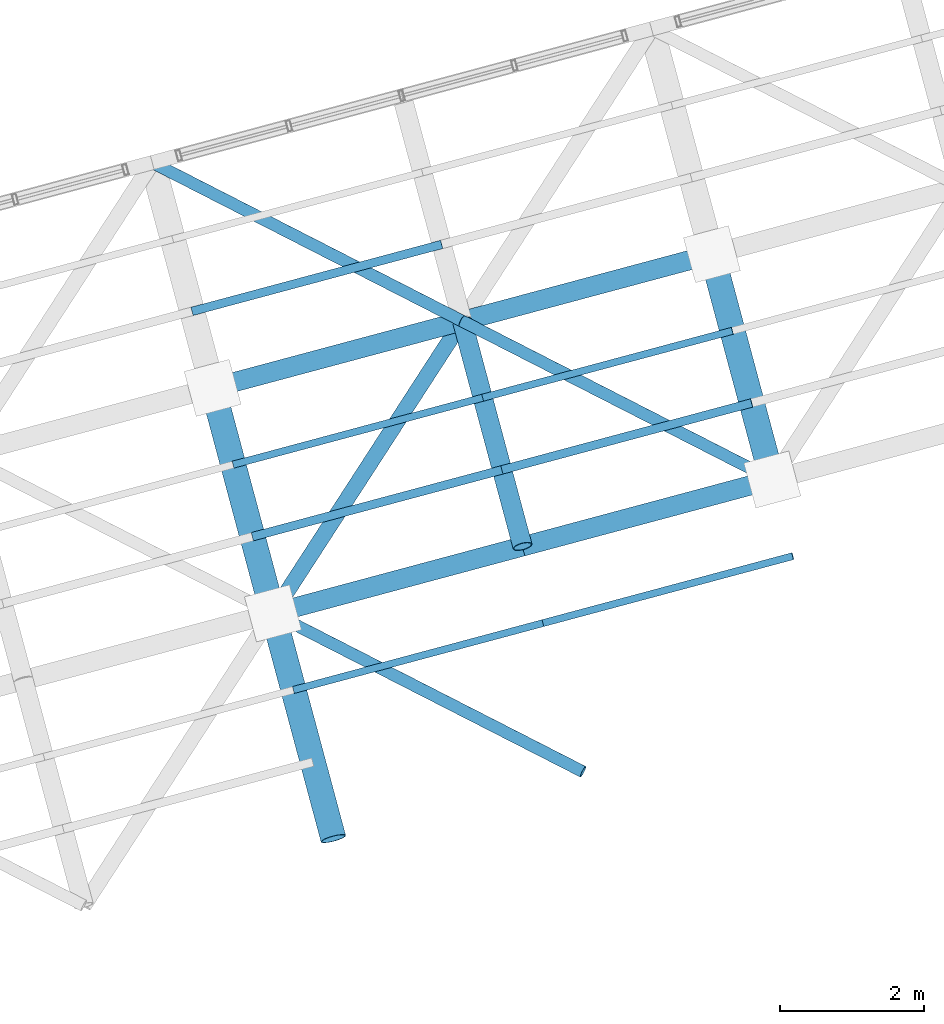
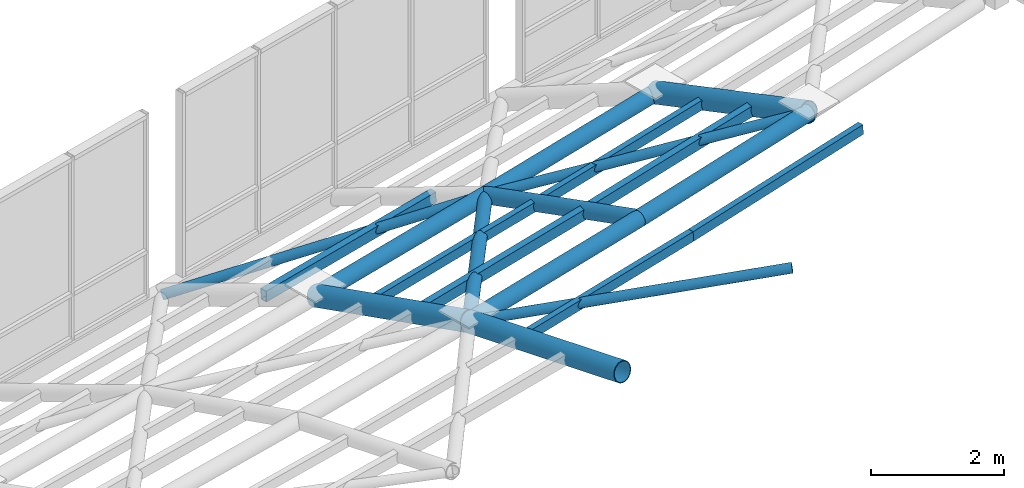
# One storey, part 18 of 29: 19 members.
"""IFC4 building model written with IfcOpenShell, lengths in metres."""

from ifc_helpers import new_model, si_unit, direction, frame, origin, origin_2d, place, context, subcontext, project, spatial, hollow_rectangle, hollow_circle, extrude, material, material_profile, profile_set, type_object, element, save


model = new_model("IFC4")

# Units and contexts
model_context = context("Model", 3, precision=1e-05, world=origin(), true_north=direction((0.0, 1.0)))
body_context = subcontext(model_context, "Body", "Model", "MODEL_VIEW")
ifc_project = project(units=[si_unit("LENGTHUNIT", "METRE"), si_unit("AREAUNIT", "SQUARE_METRE"), si_unit("VOLUMEUNIT", "CUBIC_METRE"), si_unit("PLANEANGLEUNIT", "RADIAN"), si_unit("MASSUNIT", "GRAM", prefix="KILO")], contexts=[model_context])

# Site, building, storey
site_placement = place(None, origin())
site = spatial("IfcSite", under=ifc_project, at=site_placement, CompositionType="ELEMENT")
building_placement = place(site_placement, origin())
building = spatial("IfcBuilding", under=site, at=building_placement, Name="Ventoquebrada Cableway Terminal", CompositionType="ELEMENT")
storey_placement = place(building_placement, frame((0.0, 0.0, 18.89990234375)))
storey = spatial("IfcBuildingStorey", under=building, at=storey_placement, Name="L04", CompositionType="ELEMENT", Elevation=18.89990234375)

# Members
ifc_material = material(Name="Steel ASTM A500 Grade C", Category="steel")
ifc_material_profile_1 = material_profile(ifc_material, hollow_circle(Radius=0.109619140625, WallThickness=0.010009765625, at=origin_2d()), Name="CHS219.1X10")
ifc_profile_set_1 = profile_set([ifc_material_profile_1], Name="Steel ASTM A500 Grade C")
member_type_1 = type_object("IfcMemberType", Name="BRC-GS01", PredefinedType="BRACE", material=ifc_profile_set_1)
member_1_placement = place(storey_placement, frame((67.794921875, 94.2099609375, 3.652099609375), z_axis=(0.530491126417, 0.819296057516, -0.217561795663), x_axis=(-0.839402648036, 0.543510068416, 0.0)))
element("IfcMember", 1, at=member_1_placement, inside=storey, type_object=member_type_1, Name="Saddle gridshell diagrid brace GBR-0355", PredefinedType="BRACE", context=body_context, shape_type="SweptSolid", body=[
    extrude(hollow_circle(Radius=0.109619140625, WallThickness=0.010009765625, at=origin_2d()), origin(), (0.0, 0.0, 1.0), 4.968994140625),
])
ifc_material_profile_2 = material_profile(ifc_material, hollow_circle(Radius=0.084228515625, WallThickness=0.008056640625, at=origin_2d()), Name="CHS168.3X8")
ifc_profile_set_2 = profile_set([ifc_material_profile_2], Name="Steel ASTM A500 Grade C")
member_type_2 = type_object("IfcMemberType", Name="BRC-GS02", PredefinedType="BRACE", material=ifc_profile_set_2)
member_2_placement = place(storey_placement, frame((67.794921875, 94.2099609375, 3.652099609375), z_axis=(0.878462169877, -0.448889153564, 0.163715435763), x_axis=(0.455028578566, 0.890476834448, 0.0)))
element("IfcMember", 2, at=member_2_placement, inside=storey, type_object=member_type_2, Name="Saddle gridshell diagrid brace GBR-0352", PredefinedType="BRACE", context=body_context, shape_type="SweptSolid", body=[
    extrude(hollow_circle(Radius=0.084228515625, WallThickness=0.008056640625, at=origin_2d()), origin(), (0.0, 0.0, 1.0), 4.916748046875),
])
member_3_placement = place(storey_placement, frame((66.113037109375, 100.489013671875, 0.920166015625), z_axis=(0.842847067078, -0.431002424214, 0.322251038538), x_axis=(0.455290222831, 0.890343087239, 0.0)))
element("IfcMember", 3, at=member_3_placement, inside=storey, type_object=member_type_2, Name="Saddle gridshell diagrid brace GBR-0358", PredefinedType="BRACE", context=body_context, shape_type="SweptSolid", body=[
    extrude(hollow_circle(Radius=0.084228515625, WallThickness=0.008056640625, at=origin_2d()), origin(), (0.0, 0.0, 1.0), 5.123046875),
])
member_4_placement = place(storey_placement, frame((70.430908203125, 98.281005859375, 2.571044921875), z_axis=(0.858274732371, -0.43857348825, 0.266491611832), x_axis=(0.455028578566, 0.890476834448, 0.0)))
element("IfcMember", 4, at=member_4_placement, inside=storey, type_object=member_type_2, Name="Saddle gridshell diagrid brace GBR-0379", PredefinedType="BRACE", context=body_context, shape_type="SweptSolid", body=[
    extrude(hollow_circle(Radius=0.084228515625, WallThickness=0.008056640625, at=origin_2d()), origin(), (0.0, 0.0, 1.0), 5.0322265625),
])
ifc_material_profile_3 = material_profile(ifc_material, hollow_circle(Radius=0.177734375, WallThickness=0.012451171875, at=origin_2d()), Name="CHS355.6X12.5")
ifc_profile_set_3 = profile_set([ifc_material_profile_3], Name="Steel ASTM A500 Grade C")
member_type_3 = type_object("IfcMemberType", Name="CHD-GS01", PredefinedType="CHORD", material=ifc_profile_set_3)
member_5_placement = place(storey_placement, frame((68.635986328125, 91.071044921875, 4.336181640625), z_axis=(-0.253266599061, 0.945210062157, -0.20599506838), x_axis=(-0.965926253902, -0.258817449225, 0.0)))
element("IfcMember", 5, at=member_5_placement, inside=storey, type_object=member_type_3, Name="Saddle gridshell arch chord GCH-0068", PredefinedType="CHORD", context=body_context, shape_type="SweptSolid", body=[
    extrude(hollow_circle(Radius=0.177734375, WallThickness=0.012451171875, at=origin_2d()), origin(), (0.0, 0.0, 1.0), 3.32080078125),
])
member_6_placement = place(storey_placement, frame((67.794921875, 94.2099609375, 3.652099609375), z_axis=(-0.244128197692, 0.911723832378, -0.330395333752), x_axis=(-0.965970169845, -0.258653495953, 0.0)))
element("IfcMember", 6, at=member_6_placement, inside=storey, type_object=member_type_3, Name="Saddle gridshell arch chord GCH-0069", PredefinedType="CHORD", context=body_context, shape_type="SweptSolid", body=[
    extrude(hollow_circle(Radius=0.177734375, WallThickness=0.012451171875, at=origin_2d()), origin(), (0.0, 0.0, 1.0), 3.444091796875),
])
member_7_placement = place(storey_placement, frame((74.75, 96.073974609375, 3.912109375), z_axis=(-0.241635634831, 0.901802425842, -0.35828006465), x_axis=(-0.965926253902, -0.258817449225, 0.0)))
element("IfcMember", 7, at=member_7_placement, inside=storey, type_object=member_type_3, Name="Saddle gridshell arch chord GCH-0085", PredefinedType="CHORD", context=body_context, shape_type="SweptSolid", body=[
    extrude(hollow_circle(Radius=0.177734375, WallThickness=0.012451171875, at=origin_2d()), origin(), (0.0, 0.0, 1.0), 3.480712890625),
])
ifc_material_profile_4 = material_profile(ifc_material, hollow_circle(Radius=0.136474609375, WallThickness=0.012451171875, at=origin_2d()), Name="CHS273.0X12.5")
ifc_profile_set_4 = profile_set([ifc_material_profile_4], Name="Steel ASTM A500 Grade C")
member_type_4 = type_object("IfcMemberType", Name="CHD-GS02", PredefinedType="CHORD", material=ifc_profile_set_4)
member_8_placement = place(storey_placement, frame((71.27197265625, 95.14208984375, 3.75), z_axis=(-0.243300598354, 0.908016195366, -0.341044583295), x_axis=(-0.965926253902, -0.258817449225, 0.0)))
element("IfcMember", 8, at=member_8_placement, inside=storey, type_object=member_type_4, Name="Saddle gridshell arch chord GCH-0077", PredefinedType="CHORD", context=body_context, shape_type="SweptSolid", body=[
    extrude(hollow_circle(Radius=0.136474609375, WallThickness=0.012451171875, at=origin_2d()), origin(), (0.0, 0.0, 1.0), 3.456787109375),
])
member_9_placement = place(storey_placement, frame((67.794921875, 94.2099609375, 3.652099609375), z_axis=(0.965537156817, 0.258841515569, 0.027185816591), x_axis=(-0.258937219442, 0.965894153822, 0.0)))
element("IfcMember", 9, at=member_9_placement, inside=storey, type_object=member_type_4, Name="Saddle gridshell longitudinal chord GLG-0169", PredefinedType="CHORD", context=body_context, shape_type="SweptSolid", body=[
    extrude(hollow_circle(Radius=0.136474609375, WallThickness=0.012451171875, at=origin_2d()), origin(), (0.0, 0.0, 1.0), 3.60107421875),
])
member_10_placement = place(storey_placement, frame((71.27197265625, 95.14208984375, 3.75), z_axis=(0.964951832699, 0.258544233147, 0.044975994448), x_axis=(-0.25880612736, 0.965929287495, 0.0)))
element("IfcMember", 10, at=member_10_placement, inside=storey, type_object=member_type_4, Name="Saddle gridshell longitudinal chord GLG-0170", PredefinedType="CHORD", context=body_context, shape_type="SweptSolid", body=[
    extrude(hollow_circle(Radius=0.136474609375, WallThickness=0.012451171875, at=origin_2d()), origin(), (0.0, 0.0, 1.0), 3.604248046875),
])
member_11_placement = place(storey_placement, frame((66.9541015625, 97.35009765625, 2.51416015625), z_axis=(0.965853764374, 0.258605463349, 0.015802536837), x_axis=(-0.258637758898, 0.965974383549, 0.0)))
element("IfcMember", 11, at=member_11_placement, inside=storey, type_object=member_type_4, Name="Saddle gridshell longitudinal chord GLG-0179", PredefinedType="CHORD", context=body_context, shape_type="SweptSolid", body=[
    extrude(hollow_circle(Radius=0.136474609375, WallThickness=0.012451171875, at=origin_2d()), origin(), (0.0, 0.0, 1.0), 3.599609375),
])
member_12_placement = place(storey_placement, frame((70.430908203125, 98.281005859375, 2.571044921875), z_axis=(0.965600345216, 0.258717992257, 0.026095474723), x_axis=(-0.25880612736, 0.965929287495, 0.0)))
element("IfcMember", 12, at=member_12_placement, inside=storey, type_object=member_type_4, Name="Saddle gridshell longitudinal chord GLG-0180", PredefinedType="CHORD", context=body_context, shape_type="SweptSolid", body=[
    extrude(hollow_circle(Radius=0.136474609375, WallThickness=0.012451171875, at=origin_2d()), origin(), (0.0, 0.0, 1.0), 3.60205078125),
])
ifc_material_profile_5 = material_profile(ifc_material, hollow_rectangle(XDim=0.1201171875, YDim=0.199951171875, WallThickness=0.008056640625, at=origin_2d()), Name="RHS200X120X8")
ifc_profile_set_5 = profile_set([ifc_material_profile_5], Name="Steel ASTM A500 Grade C")
member_type_5 = type_object("IfcMemberType", Name="PUR-RF01", PredefinedType="PURLIN", material=ifc_profile_set_5)
member_13_placement = place(storey_placement, frame((67.509033203125, 95.278076171875, 3.26513671875), z_axis=(0.965716093146, 0.258550446789, 0.023325820534), x_axis=(-0.258620813366, 0.965978920523, 0.0)))
element("IfcMember", 13, at=member_13_placement, inside=storey, type_object=member_type_5, Name="Gridshell secondary roof purlin GPR-0356", PredefinedType="PURLIN", context=body_context, shape_type="SweptSolid", body=[
    extrude(hollow_rectangle(XDim=0.1201171875, YDim=0.199951171875, WallThickness=0.008056640625, at=origin_2d()), origin(), (0.0, 0.0, 1.0), 3.6005859375),
])
member_14_placement = place(storey_placement, frame((66.66796875, 98.4169921875, 1.97216796875), z_axis=(0.965840790353, 0.258922913746, 0.010511537881), x_axis=(-0.258937219442, 0.965894153822, 0.0)))
element("IfcMember", 14, at=member_14_placement, inside=storey, type_object=member_type_5, Name="Gridshell secondary roof purlin GPR-0359", PredefinedType="PURLIN", context=body_context, shape_type="SweptSolid", body=[
    extrude(hollow_rectangle(XDim=0.1201171875, YDim=0.199951171875, WallThickness=0.008056640625, at=origin_2d()), origin(), (0.0, 0.0, 1.0), 3.60009765625),
])
member_15_placement = place(storey_placement, frame((70.986083984375, 96.208984375, 3.34912109375), z_axis=(0.96519431432, 0.258676954378, 0.038550860933), x_axis=(-0.258869387716, 0.96591233562, 0.0)))
element("IfcMember", 15, at=member_15_placement, inside=storey, type_object=member_type_5, Name="Gridshell secondary roof purlin GPR-0380", PredefinedType="PURLIN", context=body_context, shape_type="SweptSolid", body=[
    extrude(hollow_rectangle(XDim=0.1201171875, YDim=0.199951171875, WallThickness=0.008056640625, at=origin_2d()), origin(), (0.0, 0.0, 1.0), 3.603515625),
])
ifc_material_profile_6 = material_profile(ifc_material, hollow_rectangle(XDim=0.10009765625, YDim=0.179931640625, WallThickness=0.008056640625, at=origin_2d()), Name="RHS180X100X8")
ifc_profile_set_6 = profile_set([ifc_material_profile_6], Name="Steel ASTM A500 Grade C")
member_type_6 = type_object("IfcMemberType", Name="PUR-RF02", PredefinedType="PURLIN", material=ifc_profile_set_6)
member_16_placement = place(storey_placement, frame((68.0810546875, 93.14306640625, 3.885009765625), z_axis=(0.965500627149, 0.258763930194, 0.029150770234), x_axis=(-0.258873944891, 0.965911114263, 0.0)))
element("IfcMember", 16, at=member_16_placement, inside=storey, type_object=member_type_6, Name="Gridshell secondary roof purlin GPR-0354", PredefinedType="PURLIN", context=body_context, shape_type="SweptSolid", body=[
    extrude(hollow_rectangle(XDim=0.10009765625, YDim=0.179931640625, WallThickness=0.008056640625, at=origin_2d()), origin(), (0.0, 0.0, 1.0), 3.601318359375),
])
member_17_placement = place(storey_placement, frame((67.239990234375, 96.281982421875, 2.901123046875), z_axis=(0.965706102761, 0.258886806652, 0.01973181266), x_axis=(-0.258937219442, 0.965894153822, 0.0)))
element("IfcMember", 17, at=member_17_placement, inside=storey, type_object=member_type_6, Name="Gridshell secondary roof purlin GPR-0357", PredefinedType="PURLIN", context=body_context, shape_type="SweptSolid", body=[
    extrude(hollow_rectangle(XDim=0.10009765625, YDim=0.179931640625, WallThickness=0.008056640625, at=origin_2d()), origin(), (0.0, 0.0, 1.0), 3.6005859375),
])
member_18_placement = place(storey_placement, frame((71.55810546875, 94.074951171875, 3.989990234375), z_axis=(0.964755546121, 0.258577513169, 0.048830378993), x_axis=(-0.258886342435, 0.96590779151, 0.0)))
element("IfcMember", 18, at=member_18_placement, inside=storey, type_object=member_type_6, Name="Gridshell secondary roof purlin GPR-0378", PredefinedType="PURLIN", context=body_context, shape_type="SweptSolid", body=[
    extrude(hollow_rectangle(XDim=0.10009765625, YDim=0.179931640625, WallThickness=0.008056640625, at=origin_2d()), origin(), (0.0, 0.0, 1.0), 3.604736328125),
])
member_19_placement = place(storey_placement, frame((70.717041015625, 97.214111328125, 2.97216796875), z_axis=(0.965420252377, 0.258669739107, 0.032460782036), x_axis=(-0.25880612736, 0.965929287495, 0.0)))
element("IfcMember", 19, at=member_19_placement, inside=storey, type_object=member_type_6, Name="Gridshell secondary roof purlin GPR-0381", PredefinedType="PURLIN", context=body_context, shape_type="SweptSolid", body=[
    extrude(hollow_rectangle(XDim=0.10009765625, YDim=0.179931640625, WallThickness=0.008056640625, at=origin_2d()), origin(), (0.0, 0.0, 1.0), 3.6025390625),
])

save(model, "model.ifc")
